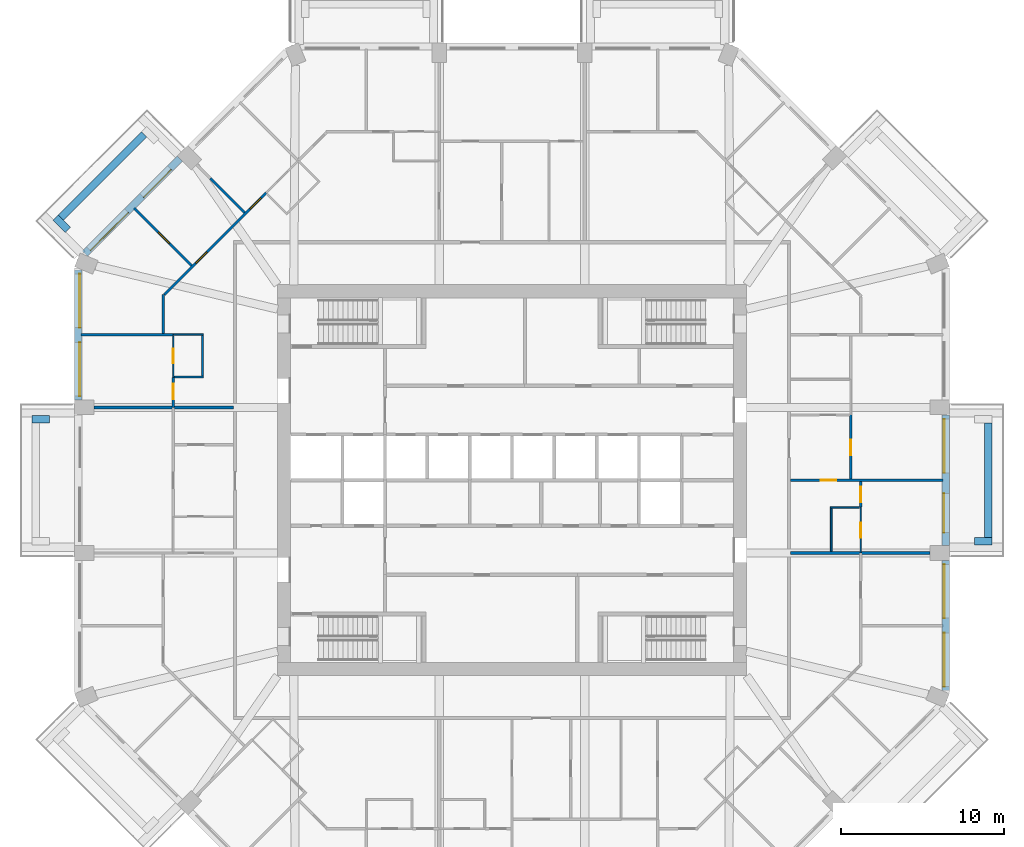
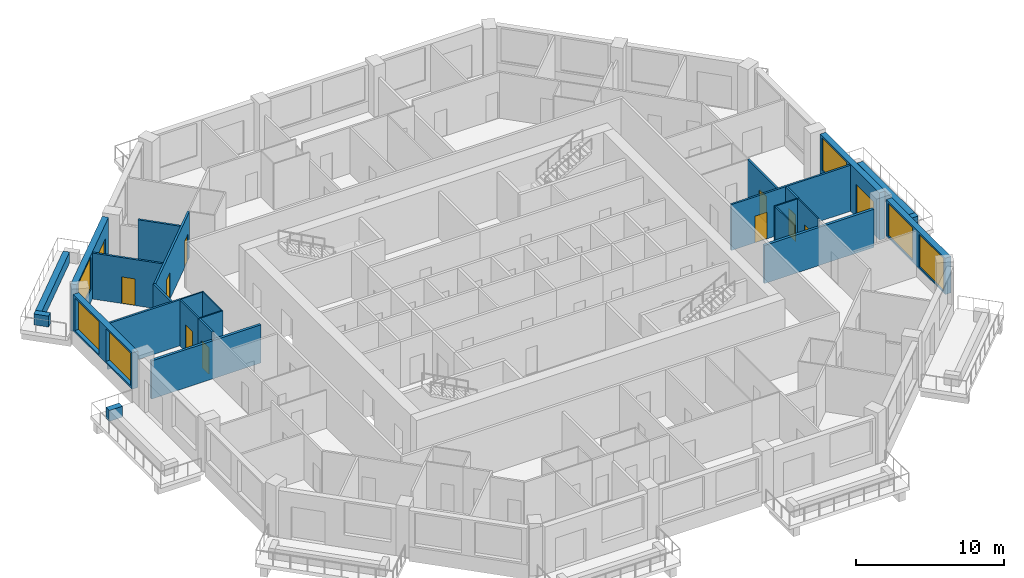
# One storey, part 7 of 13: 27 walls, 11 doors, 6 windows, 17 openings.
"""IFC4 building model written with IfcOpenShell, lengths in metres."""

from ifc_helpers import new_model, si_unit, direction, frame, frame_2d, origin, place, context, subcontext, project, spatial, rectangle, extrude, material, layer, layer_set, type_object, element, fill, save


model = new_model("IFC4")

# Units and contexts
model_context = context("Model", 3, precision=1e-05, world=origin(), true_north=direction((0.0, 1.0)))
body_context = subcontext(model_context, "Body", "Model", "MODEL_VIEW")
ifc_project = project(units=[si_unit("LENGTHUNIT", "METRE"), si_unit("AREAUNIT", "SQUARE_METRE"), si_unit("VOLUMEUNIT", "CUBIC_METRE"), si_unit("PLANEANGLEUNIT", "RADIAN"), si_unit("MASSUNIT", "GRAM", prefix="KILO")], contexts=[model_context])

# Site, building, storey
site_placement = place(None, origin())
site = spatial("IfcSite", under=ifc_project, at=site_placement, CompositionType="ELEMENT")
building_placement = place(site_placement, origin())
building = spatial("IfcBuilding", under=site, at=building_placement, Name="Msitu Wima Residences", CompositionType="ELEMENT")
storey_placement = place(building_placement, frame((0.0, 0.0, 152.699951171875)))
storey = spatial("IfcBuildingStorey", under=building, at=storey_placement, Name="L35", CompositionType="ELEMENT", Elevation=152.699951171875)

# Walls
ifc_material_1 = material(Name="Facing brick")
ifc_layer_1 = layer(ifc_material_1, 0.06494140625, Name="Facing brick")
ifc_material_2 = material(Name="Concrete C40/50", Category="concrete")
ifc_layer_2 = layer(ifc_material_2, 0.156005859375, Name="Concrete C40/50")
ifc_material_3 = material(Name="Waterproofing membrane")
ifc_layer_3 = layer(ifc_material_3, 0.00390625, Name="Waterproofing membrane")
ifc_material_4 = material(Name="Planting soil and planting")
ifc_layer_4 = layer(ifc_material_4, 0.22509765625, Name="Planting soil and planting")
ifc_layer_set_1 = layer_set([ifc_layer_1, ifc_layer_2, ifc_layer_3, ifc_layer_4], Name="Concrete C40/50")
wall_type_1 = type_object("IfcWallType", Name="Balcony planter PLANTER PL450", PredefinedType="USERDEFINED", material=ifc_layer_set_1)
wall_1_placement = place(storey_placement, frame((29.22509765625, -3.5185546875, 0.0), z_axis=(0.0, 0.0, 1.0), x_axis=(0.0, 1.0, 0.0)))
element("IfcWall", 1, at=wall_1_placement, inside=storey, type_object=wall_type_1, Name="Balcony planter E1 L35", ObjectType="PLANTER", PredefinedType="USERDEFINED", context=body_context, shape_type="SweptSolid", body=[
    extrude(rectangle(XDim=7.037109375, YDim=0.449951171875, at=frame_2d((3.5185546875, 0.0))), origin(), (0.0, 0.0, 1.0), 0.900146484375),
])
wall_2_placement = place(storey_placement, frame((28.39990234375, -3.74365234375, 0.0), z_axis=(0.0, 0.0, 1.0), x_axis=(1.0, 0.0, 0.0)))
element("IfcWall", 2, at=wall_2_placement, inside=storey, type_object=wall_type_1, Name="Balcony planter E1 L35", ObjectType="PLANTER", PredefinedType="USERDEFINED", context=body_context, shape_type="SweptSolid", body=[
    extrude(rectangle(XDim=1.050048828125, YDim=0.449951171875, at=frame_2d((0.52490234375, 0.0))), origin(), (0.0, 0.0, 1.0), 0.900146484375),
])
wall_3_placement = place(storey_placement, frame((-22.572265625, 21.228759765625, 0.0), z_axis=(0.0, 0.0, 1.0), x_axis=(-0.707106781187, -0.707106781187, 0.0)))
element("IfcWall", 3, at=wall_3_placement, inside=storey, type_object=wall_type_1, Name="Balcony planter NW1 L35", ObjectType="PLANTER", PredefinedType="USERDEFINED", context=body_context, shape_type="SweptSolid", body=[
    extrude(rectangle(XDim=7.23828125, YDim=0.449951171875, at=frame_2d((3.619140625, 0.0))), origin(), (0.0, 0.0, 1.0), 0.900146484375),
])
for number, where, z_axis, x_axis, name in (
    (4, (-27.26611328125, 15.3681640625, 0.0), (0.0, 0.0, 1.0), (-0.707223014731, 0.706990528533, 0.0), "Balcony planter NW1 L35"),
    (5, (-28.39990234375, 3.74365234375, 0.0), (0.0, 0.0, 1.0), (-1.0, 0.0, 0.0), "Balcony planter W1 L35"),
):
    element("IfcWall", number, at=place(storey_placement, frame(where, z_axis=z_axis, x_axis=x_axis)), inside=storey, type_object=wall_type_1, Name=name, ObjectType="PLANTER", PredefinedType="USERDEFINED", context=body_context, shape_type="SweptSolid", body=[
        extrude(rectangle(XDim=1.050048828125, YDim=0.449951171875, at=frame_2d((0.52490234375, 0.0))), origin(), (0.0, 0.0, 1.0), 0.900146484375),
    ])

# Wall, openings, windows
ifc_material_5 = material(Name="Brick (red buff mix)", Category="masonry")
ifc_layer_5 = layer(ifc_material_5, 0.449951171875)
ifc_layer_set_2 = layer_set([ifc_layer_5], Name="Brick (red buff mix)")
wall_type_2 = type_object("IfcWallType", Name="Brick infill wall BW450", PredefinedType="SOLIDWALL", material=ifc_layer_set_2)
wall_4_placement = place(storey_placement, frame((26.625, -12.918701171875, 0.900146484375), z_axis=(0.0, 0.0, 1.0), x_axis=(0.0, 1.0, 0.0)))
wall_4 = element("IfcWall", 6, at=wall_4_placement, inside=storey, type_object=wall_type_2, Name="Brick infill wall L35 E0", PredefinedType="SOLIDWALL", context=body_context, shape_type="SweptSolid", body=[
    extrude(rectangle(XDim=8.0, YDim=0.449951171875, at=frame_2d((4.0, 0.0))), origin(), (0.0, 0.0, 1.0), 3.0),
])
opening_1_placement = place(wall_4_placement, frame((0.25, 0.0, 0.14990234375)))
opening_1 = element("IfcOpeningElement", 7, at=opening_1_placement, cuts=wall_4, Name="Opening W34-35.001", PredefinedType="OPENING", context=body_context, shape_type="SweptSolid", body=[
    extrude(rectangle(XDim=3.300048828125, YDim=2.699951171875, at=frame_2d((1.64990234375, 1.35009765625))), frame((0.0, 0.23486328125, 0.0), z_axis=(0.0, -1.0, 0.0), x_axis=(1.0, 0.0, 0.0)), (0.0, 0.0, 1.0), 0.469970703125),
])
opening_2_placement = place(wall_4_placement, frame((4.4501953125, 0.0, 0.14990234375)))
opening_2 = element("IfcOpeningElement", 8, at=opening_2_placement, cuts=wall_4, Name="Opening W34-35.002", PredefinedType="OPENING", context=body_context, shape_type="SweptSolid", body=[
    extrude(rectangle(XDim=3.300048828125, YDim=2.699951171875, at=frame_2d((1.64990234375, 1.35009765625))), frame((0.0, 0.23486328125, 0.0), z_axis=(0.0, -1.0, 0.0), x_axis=(1.0, 0.0, 0.0)), (0.0, 0.0, 1.0), 0.469970703125),
])
ifc_material_6 = material(Name="Anodised aluminium, bronze finish, clear low-emissivity double glazing", Category="aluminium")
window_type = type_object("IfcWindowType", Name="Window W3300x2700", PartitioningType="DOUBLE_PANEL_VERTICAL", PredefinedType="WINDOW", material=ifc_material_6)
window_1_placement = place(opening_1_placement, origin())
window_1 = element("IfcWindow", 9, at=window_1_placement, inside=storey, type_object=window_type, Name="Window L35 E0.1", OverallHeight=2.699951171875, OverallWidth=3.300048828125, PartitioningType="SINGLE_PANEL", PredefinedType="WINDOW", context=body_context, shape_type="SweptSolid", body=[
    extrude(rectangle(XDim=3.300048828125, YDim=2.699951171875, at=frame_2d((1.64990234375, 1.35009765625))), frame((0.0, 0.135009765625, 0.0), z_axis=(0.0, -1.0, 0.0), x_axis=(1.0, 0.0, 0.0)), (0.0, 0.0, 1.0), 0.06005859375),
])
fill(opening_1, window_1)
window_2_placement = place(opening_2_placement, origin())
window_2 = element("IfcWindow", 10, at=window_2_placement, inside=storey, type_object=window_type, Name="Window L35 E0.2", OverallHeight=2.699951171875, OverallWidth=3.300048828125, PartitioningType="SINGLE_PANEL", PredefinedType="WINDOW", context=body_context, shape_type="SweptSolid", body=[
    extrude(rectangle(XDim=3.300048828125, YDim=2.699951171875, at=frame_2d((1.64990234375, 1.35009765625))), frame((0.0, 0.135009765625, 0.0), z_axis=(0.0, -1.0, 0.0), x_axis=(1.0, 0.0, 0.0)), (0.0, 0.0, 1.0), 0.06005859375),
])
fill(opening_2, window_2)

# Wall, openings, door, window
wall_5_placement = place(storey_placement, frame((26.625, -4.0185546875, 0.0), z_axis=(0.0, 0.0, 1.0), x_axis=(0.0, 1.0, 0.0)))
wall_5 = element("IfcWall", 11, at=wall_5_placement, inside=storey, type_object=wall_type_2, Name="Brick infill wall L35 E1", PredefinedType="SOLIDWALL", context=body_context, shape_type="SweptSolid", body=[
    extrude(rectangle(XDim=8.037109375, YDim=0.449951171875, at=frame_2d((4.0185546875, 0.0))), origin(), (0.0, 0.0, 1.0), 3.900146484375),
])
opening_3_placement = place(wall_5_placement, frame((0.809326171875, 0.0, 0.0)))
opening_3 = element("IfcOpeningElement", 12, at=opening_3_placement, cuts=wall_5, Name="Opening D34-35.001", PredefinedType="OPENING", context=body_context, shape_type="SweptSolid", body=[
    extrude(rectangle(XDim=2.39990234375, YDim=2.699951171875, at=frame_2d((1.199951171875, 1.35009765625))), frame((0.0, 0.23486328125, 0.0), z_axis=(0.0, -1.0, 0.0), x_axis=(1.0, 0.0, 0.0)), (0.0, 0.0, 1.0), 0.469970703125),
])
opening_4_placement = place(wall_5_placement, frame((4.46875, 0.0, 1.050048828125)))
opening_4 = element("IfcOpeningElement", 13, at=opening_4_placement, cuts=wall_5, Name="Opening W34-35.003", PredefinedType="OPENING", context=body_context, shape_type="SweptSolid", body=[
    extrude(rectangle(XDim=3.300048828125, YDim=2.699951171875, at=frame_2d((1.64990234375, 1.35009765625))), frame((0.0, 0.23486328125, 0.0), z_axis=(0.0, -1.0, 0.0), x_axis=(1.0, 0.0, 0.0)), (0.0, 0.0, 1.0), 0.469970703125),
])
door_type_1 = type_object("IfcDoorType", Name="Balcony door D2400x2700", OperationType="SLIDING_TO_LEFT", PredefinedType="DOOR", material=ifc_material_6)
door_1_placement = place(opening_3_placement, origin())
door_1 = element("IfcDoor", 14, at=door_1_placement, inside=storey, type_object=door_type_1, Name="Balcony door L35 E1", OperationType="SINGLE_SWING_LEFT", OverallHeight=2.699951171875, OverallWidth=2.39990234375, PredefinedType="DOOR", context=body_context, shape_type="SweptSolid", body=[
    extrude(rectangle(XDim=2.39990234375, YDim=2.699951171875, at=frame_2d((1.199951171875, 1.35009765625))), frame((0.0, 0.1298828125, 0.0), z_axis=(0.0, -1.0, 0.0), x_axis=(1.0, 0.0, 0.0)), (0.0, 0.0, 1.0), 0.050048828125),
])
fill(opening_3, door_1)
window_3_placement = place(opening_4_placement, origin())
window_3 = element("IfcWindow", 15, at=window_3_placement, inside=storey, type_object=window_type, Name="Window L35 E1.2", OverallHeight=2.699951171875, OverallWidth=3.300048828125, PartitioningType="SINGLE_PANEL", PredefinedType="WINDOW", context=body_context, shape_type="SweptSolid", body=[
    extrude(rectangle(XDim=3.300048828125, YDim=2.699951171875, at=frame_2d((1.64990234375, 1.35009765625))), frame((0.0, 0.135009765625, 0.0), z_axis=(0.0, -1.0, 0.0), x_axis=(1.0, 0.0, 0.0)), (0.0, 0.0, 1.0), 0.06005859375),
])
fill(opening_4, window_3)

wall_6_placement = place(storey_placement, frame((-20.380126953125, 19.743896484375, 0.0), z_axis=(0.0, 0.0, 1.0), x_axis=(-0.707106781187, -0.707106781187, 0.0)))
wall_6 = element("IfcWall", 16, at=wall_6_placement, inside=storey, type_object=wall_type_2, Name="Brick infill wall L35 NW1", PredefinedType="SOLIDWALL", context=body_context, shape_type="SweptSolid", body=[
    extrude(rectangle(XDim=8.251220703125, YDim=0.449951171875, at=frame_2d((4.12548828125, 0.0))), origin(), (0.0, 0.0, 1.0), 3.900146484375),
])
opening_5_placement = place(wall_6_placement, frame((0.86279296875, 0.0, 0.0)))
opening_5 = element("IfcOpeningElement", 17, at=opening_5_placement, cuts=wall_6, Name="Opening D34-35.005", PredefinedType="OPENING", context=body_context, shape_type="SweptSolid", body=[
    extrude(rectangle(XDim=2.39990234375, YDim=2.699951171875, at=frame_2d((1.199951171875, 1.35009765625))), frame((0.0, 0.23486328125, 0.0), z_axis=(0.0, -1.0, 0.0), x_axis=(1.0, 0.0, 0.0)), (0.0, 0.0, 1.0), 0.469970703125),
])
opening_6_placement = place(wall_6_placement, frame((4.57568359375, 0.0, 1.050048828125)))
opening_6 = element("IfcOpeningElement", 18, at=opening_6_placement, cuts=wall_6, Name="Opening W34-35.015", PredefinedType="OPENING", context=body_context, shape_type="SweptSolid", body=[
    extrude(rectangle(XDim=3.300048828125, YDim=2.699951171875, at=frame_2d((1.64990234375, 1.35009765625))), frame((0.0, 0.23486328125, 0.0), z_axis=(0.0, -1.0, 0.0), x_axis=(1.0, 0.0, 0.0)), (0.0, 0.0, 1.0), 0.469970703125),
])
door_2_placement = place(opening_5_placement, origin())
door_2 = element("IfcDoor", 19, at=door_2_placement, inside=storey, type_object=door_type_1, Name="Balcony door L35 NW1", OperationType="SINGLE_SWING_LEFT", OverallHeight=2.699951171875, OverallWidth=2.39990234375, PredefinedType="DOOR", context=body_context, shape_type="SweptSolid", body=[
    extrude(rectangle(XDim=2.39990234375, YDim=2.699951171875, at=frame_2d((1.199951171875, 1.35009765625))), frame((0.0, 0.1298828125, 0.0), z_axis=(0.0, -1.0, 0.0), x_axis=(1.0, 0.0, 0.0)), (0.0, 0.0, 1.0), 0.050048828125),
])
fill(opening_5, door_2)
window_4_placement = place(opening_6_placement, origin())
window_4 = element("IfcWindow", 20, at=window_4_placement, inside=storey, type_object=window_type, Name="Window L35 NW1.2", OverallHeight=2.699951171875, OverallWidth=3.300048828125, PartitioningType="SINGLE_PANEL", PredefinedType="WINDOW", context=body_context, shape_type="SweptSolid", body=[
    extrude(rectangle(XDim=3.300048828125, YDim=2.699951171875, at=frame_2d((1.64990234375, 1.35009765625))), frame((0.0, 0.135009765625, 0.0), z_axis=(0.0, -1.0, 0.0), x_axis=(1.0, 0.0, 0.0)), (0.0, 0.0, 1.0), 0.06005859375),
])
fill(opening_6, window_4)

# Wall, openings, windows
wall_7_placement = place(storey_placement, frame((-26.625, 12.918701171875, 0.900146484375), z_axis=(0.0, 0.0, 1.0), x_axis=(0.0, -1.0, 0.0)))
wall_7 = element("IfcWall", 21, at=wall_7_placement, inside=storey, type_object=wall_type_2, Name="Brick infill wall L35 W0", PredefinedType="SOLIDWALL", context=body_context, shape_type="SweptSolid", body=[
    extrude(rectangle(XDim=8.0, YDim=0.449951171875, at=frame_2d((4.0, 0.0))), origin(), (0.0, 0.0, 1.0), 3.0),
])
opening_7_placement = place(wall_7_placement, frame((0.25, 0.0, 0.14990234375)))
opening_7 = element("IfcOpeningElement", 22, at=opening_7_placement, cuts=wall_7, Name="Opening W34-35.026", PredefinedType="OPENING", context=body_context, shape_type="SweptSolid", body=[
    extrude(rectangle(XDim=3.300048828125, YDim=2.699951171875, at=frame_2d((1.64990234375, 1.35009765625))), frame((0.0, 0.23486328125, 0.0), z_axis=(0.0, -1.0, 0.0), x_axis=(1.0, 0.0, 0.0)), (0.0, 0.0, 1.0), 0.469970703125),
])
opening_8_placement = place(wall_7_placement, frame((4.4501953125, 0.0, 0.14990234375)))
opening_8 = element("IfcOpeningElement", 23, at=opening_8_placement, cuts=wall_7, Name="Opening W34-35.027", PredefinedType="OPENING", context=body_context, shape_type="SweptSolid", body=[
    extrude(rectangle(XDim=3.300048828125, YDim=2.699951171875, at=frame_2d((1.64990234375, 1.35009765625))), frame((0.0, 0.23486328125, 0.0), z_axis=(0.0, -1.0, 0.0), x_axis=(1.0, 0.0, 0.0)), (0.0, 0.0, 1.0), 0.469970703125),
])
window_5_placement = place(opening_7_placement, origin())
window_5 = element("IfcWindow", 24, at=window_5_placement, inside=storey, type_object=window_type, Name="Window L35 W0.1", OverallHeight=2.699951171875, OverallWidth=3.300048828125, PartitioningType="SINGLE_PANEL", PredefinedType="WINDOW", context=body_context, shape_type="SweptSolid", body=[
    extrude(rectangle(XDim=3.300048828125, YDim=2.699951171875, at=frame_2d((1.64990234375, 1.35009765625))), frame((0.0, 0.135009765625, 0.0), z_axis=(0.0, -1.0, 0.0), x_axis=(1.0, 0.0, 0.0)), (0.0, 0.0, 1.0), 0.06005859375),
])
fill(opening_7, window_5)
window_6_placement = place(opening_8_placement, origin())
window_6 = element("IfcWindow", 25, at=window_6_placement, inside=storey, type_object=window_type, Name="Window L35 W0.2", OverallHeight=2.699951171875, OverallWidth=3.300048828125, PartitioningType="SINGLE_PANEL", PredefinedType="WINDOW", context=body_context, shape_type="SweptSolid", body=[
    extrude(rectangle(XDim=3.300048828125, YDim=2.699951171875, at=frame_2d((1.64990234375, 1.35009765625))), frame((0.0, 0.135009765625, 0.0), z_axis=(0.0, -1.0, 0.0), x_axis=(1.0, 0.0, 0.0)), (0.0, 0.0, 1.0), 0.06005859375),
])
fill(opening_8, window_6)

# Wall
ifc_material_7 = material(Name="Plaster")
ifc_layer_6 = layer(ifc_material_7, 0.011962890625, Name="Plaster")
ifc_material_8 = material(Name="Concrete blockwork", Category="masonry")
ifc_layer_7 = layer(ifc_material_8, 0.1259765625, Name="Concrete blockwork")
ifc_layer_8 = layer(ifc_material_7, 0.011962890625, Name="Plaster")
ifc_layer_set_3 = layer_set([ifc_layer_6, ifc_layer_7, ifc_layer_8], Name="Concrete blockwork")
wall_type_3 = type_object("IfcWallType", Name="Partition PW150", PredefinedType="PARTITIONING", material=ifc_layer_set_3)
wall_8_placement = place(storey_placement, frame((-26.455078125, 8.937255859375, 0.0), z_axis=(0.0, 0.0, 1.0), x_axis=(1.0, 0.0, 0.0)))
element("IfcWall", 26, at=wall_8_placement, inside=storey, type_object=wall_type_3, Name="Partition", PredefinedType="PARTITIONING", context=body_context, shape_type="SweptSolid", body=[
    extrude(rectangle(XDim=5.675048828125, YDim=0.14990234375, at=frame_2d((2.83740234375, 0.0))), origin(), (0.0, 0.0, 1.0), 3.798095703125),
])

# Wall, opening, door
wall_9_placement = place(storey_placement, frame((-23.1904296875, 16.693359375, 0.0), z_axis=(0.0, 0.0, 1.0), x_axis=(0.707106781187, -0.707106781187, 0.0)))
wall_9 = element("IfcWall", 27, at=wall_9_placement, inside=storey, type_object=wall_type_3, Name="Partition", PredefinedType="PARTITIONING", context=body_context, shape_type="SweptSolid", body=[
    extrude(rectangle(XDim=4.980224609375, YDim=0.14990234375, at=frame_2d((2.490234375, 0.0))), origin(), (0.0, 0.0, 1.0), 3.798095703125),
])
opening_9_placement = place(wall_9_placement, frame((2.10009765625, 0.0, 0.0)))
opening_9 = element("IfcOpeningElement", 28, at=opening_9_placement, cuts=wall_9, Name="Opening D34-35.055", PredefinedType="OPENING", context=body_context, shape_type="SweptSolid", body=[
    extrude(rectangle(XDim=0.949951171875, YDim=2.199951171875, at=frame_2d((0.47509765625, 1.10009765625))), frame((0.0, 0.0849609375, 0.0), z_axis=(0.0, -1.0, 0.0), x_axis=(1.0, 0.0, 0.0)), (0.0, 0.0, 1.0), 0.169921875),
])
ifc_material_9 = material(Name="Timber flush door", Category="wood")
door_type_2 = type_object("IfcDoorType", Name="Room door D12 950x2200", OperationType="SINGLE_SWING_LEFT", PredefinedType="DOOR", material=ifc_material_9)
door_3_placement = place(opening_9_placement, origin())
door_3 = element("IfcDoor", 29, at=door_3_placement, inside=storey, type_object=door_type_2, Name="Room door", OperationType="SINGLE_SWING_LEFT", OverallHeight=2.199951171875, OverallWidth=0.949951171875, PredefinedType="DOOR", context=body_context, shape_type="SweptSolid", body=[
    extrude(rectangle(XDim=0.949951171875, YDim=2.199951171875, at=frame_2d((0.47509765625, 1.10009765625))), frame((0.0, 0.02490234375, 0.0), z_axis=(0.0, -1.0, 0.0), x_axis=(1.0, 0.0, 0.0)), (0.0, 0.0, 1.0), 0.050048828125),
])
fill(opening_9, door_3)

# Wall
wall_10_placement = place(storey_placement, frame((-21.39990234375, 9.01220703125, 0.0), z_axis=(0.0, 0.0, 1.0), x_axis=(0.0, 1.0, 0.0)))
element("IfcWall", 30, at=wall_10_placement, inside=storey, type_object=wall_type_3, Name="Partition", PredefinedType="PARTITIONING", context=body_context, shape_type="SweptSolid", body=[
    extrude(rectangle(XDim=2.397705078125, YDim=0.14990234375, at=frame_2d((1.19873046875, 0.0))), origin(), (0.0, 0.0, 1.0), 3.798095703125),
])

# Wall, openings, doors
wall_11_placement = place(storey_placement, frame((-21.346923828125, 11.387939453125, 0.0), z_axis=(0.0, 0.0, 1.0), x_axis=(0.707106781187, 0.707106781187, 0.0)))
wall_11 = element("IfcWall", 31, at=wall_11_placement, inside=storey, type_object=wall_type_3, Name="Partition", PredefinedType="PARTITIONING", context=body_context, shape_type="SweptSolid", body=[
    extrude(rectangle(XDim=8.836181640625, YDim=0.14990234375, at=frame_2d((4.41796875, 0.0))), origin(), (0.0, 0.0, 1.0), 3.798095703125),
])
opening_10_placement = place(wall_11_placement, frame((2.75, 0.0, 0.0)))
opening_10 = element("IfcOpeningElement", 32, at=opening_10_placement, cuts=wall_11, Name="Opening D34-35.045", PredefinedType="OPENING", context=body_context, shape_type="SweptSolid", body=[
    extrude(rectangle(XDim=0.949951171875, YDim=2.199951171875, at=frame_2d((0.47509765625, 1.10009765625))), frame((0.0, 0.0849609375, 0.0), z_axis=(0.0, -1.0, 0.0), x_axis=(1.0, 0.0, 0.0)), (0.0, 0.0, 1.0), 0.169921875),
])
opening_11_placement = place(wall_11_placement, frame((7.449951171875, 0.0, 0.0)))
opening_11 = element("IfcOpeningElement", 33, at=opening_11_placement, cuts=wall_11, Name="Opening D34-35.047", PredefinedType="OPENING", context=body_context, shape_type="SweptSolid", body=[
    extrude(rectangle(XDim=0.949951171875, YDim=2.199951171875, at=frame_2d((0.47509765625, 1.10009765625))), frame((0.0, 0.0849609375, 0.0), z_axis=(0.0, -1.0, 0.0), x_axis=(1.0, 0.0, 0.0)), (0.0, 0.0, 1.0), 0.169921875),
])
door_4_placement = place(opening_10_placement, origin())
door_4 = element("IfcDoor", 34, at=door_4_placement, inside=storey, type_object=door_type_2, Name="Room door", OperationType="SINGLE_SWING_LEFT", OverallHeight=2.199951171875, OverallWidth=0.949951171875, PredefinedType="DOOR", context=body_context, shape_type="SweptSolid", body=[
    extrude(rectangle(XDim=0.949951171875, YDim=2.199951171875, at=frame_2d((0.47509765625, 1.10009765625))), frame((0.0, 0.02490234375, 0.0), z_axis=(0.0, -1.0, 0.0), x_axis=(1.0, 0.0, 0.0)), (0.0, 0.0, 1.0), 0.050048828125),
])
fill(opening_10, door_4)
door_5_placement = place(opening_11_placement, origin())
door_5 = element("IfcDoor", 35, at=door_5_placement, inside=storey, type_object=door_type_2, Name="Room door", OperationType="SINGLE_SWING_LEFT", OverallHeight=2.199951171875, OverallWidth=0.949951171875, PredefinedType="DOOR", context=body_context, shape_type="SweptSolid", body=[
    extrude(rectangle(XDim=0.949951171875, YDim=2.199951171875, at=frame_2d((0.47509765625, 1.10009765625))), frame((0.0, 0.02490234375, 0.0), z_axis=(0.0, -1.0, 0.0), x_axis=(1.0, 0.0, 0.0)), (0.0, 0.0, 1.0), 0.050048828125),
])
fill(opening_11, door_5)

# Wall, opening, door
wall_12_placement = place(storey_placement, frame((-20.800048828125, 4.46875, 0.0), z_axis=(0.0, 0.0, 1.0), x_axis=(0.0, 1.0, 0.0)))
wall_12 = element("IfcWall", 36, at=wall_12_placement, inside=storey, type_object=wall_type_3, Name="Partition", PredefinedType="PARTITIONING", context=body_context, shape_type="SweptSolid", body=[
    extrude(rectangle(XDim=1.848388671875, YDim=0.14990234375, at=frame_2d((0.92431640625, 0.0))), origin(), (0.0, 0.0, 1.0), 3.798095703125),
])
opening_12_placement = place(wall_12_placement, frame((0.5, 0.0, 0.0)))
opening_12 = element("IfcOpeningElement", 37, at=opening_12_placement, cuts=wall_12, Name="Opening D34-35.053", PredefinedType="OPENING", context=body_context, shape_type="SweptSolid", body=[
    extrude(rectangle(XDim=0.949951171875, YDim=2.199951171875, at=frame_2d((0.47509765625, 1.10009765625))), frame((0.0, 0.0849609375, 0.0), z_axis=(0.0, -1.0, 0.0), x_axis=(1.0, 0.0, 0.0)), (0.0, 0.0, 1.0), 0.169921875),
])
door_6_placement = place(opening_12_placement, origin())
door_6 = element("IfcDoor", 38, at=door_6_placement, inside=storey, type_object=door_type_2, Name="Room door", OperationType="SINGLE_SWING_LEFT", OverallHeight=2.199951171875, OverallWidth=0.949951171875, PredefinedType="DOOR", context=body_context, shape_type="SweptSolid", body=[
    extrude(rectangle(XDim=0.949951171875, YDim=2.199951171875, at=frame_2d((0.47509765625, 1.10009765625))), frame((0.0, 0.02490234375, 0.0), z_axis=(0.0, -1.0, 0.0), x_axis=(1.0, 0.0, 0.0)), (0.0, 0.0, 1.0), 0.050048828125),
])
fill(opening_12, door_6)

# Wall
wall_13_placement = place(storey_placement, frame((-18.517578125, 18.517578125, 0.0), z_axis=(0.0, 0.0, 1.0), x_axis=(0.707106781187, -0.707106781187, 0.0)))
element("IfcWall", 39, at=wall_13_placement, inside=storey, type_object=wall_type_3, Name="Partition", PredefinedType="PARTITIONING", context=body_context, shape_type="SweptSolid", body=[
    extrude(rectangle(XDim=2.9658203125, YDim=0.14990234375, at=frame_2d((1.48291015625, 0.0))), origin(), (0.0, 0.0, 1.0), 3.798095703125),
])

# Wall, opening, door
wall_14_placement = place(storey_placement, frame((17.10009765625, 0.0, 0.0), z_axis=(0.0, 0.0, 1.0), x_axis=(1.0, 0.0, 0.0)))
wall_14 = element("IfcWall", 40, at=wall_14_placement, inside=storey, type_object=wall_type_3, Name="Partition", PredefinedType="PARTITIONING", context=body_context, shape_type="SweptSolid", body=[
    extrude(rectangle(XDim=9.35498046875, YDim=0.14990234375, at=frame_2d((4.677490234375, 0.0))), origin(), (0.0, 0.0, 1.0), 3.798095703125),
])
opening_13_placement = place(wall_14_placement, frame((1.85009765625, 0.0, 0.0)))
opening_13 = element("IfcOpeningElement", 41, at=opening_13_placement, cuts=wall_14, Name="Opening D34-35.050", PredefinedType="OPENING", context=body_context, shape_type="SweptSolid", body=[
    extrude(rectangle(XDim=0.949951171875, YDim=2.199951171875, at=frame_2d((0.47509765625, 1.10009765625))), frame((0.0, 0.0849609375, 0.0), z_axis=(0.0, -1.0, 0.0), x_axis=(1.0, 0.0, 0.0)), (0.0, 0.0, 1.0), 0.169921875),
])
door_7_placement = place(opening_13_placement, origin())
door_7 = element("IfcDoor", 42, at=door_7_placement, inside=storey, type_object=door_type_2, Name="Room door", OperationType="SINGLE_SWING_RIGHT", OverallHeight=2.199951171875, OverallWidth=0.949951171875, PredefinedType="DOOR", context=body_context, shape_type="SweptSolid", body=[
    extrude(rectangle(XDim=0.949951171875, YDim=2.199951171875, at=frame_2d((0.47509765625, 1.10009765625))), frame((0.0, 0.02490234375, 0.0), z_axis=(0.0, -1.0, 0.0), x_axis=(1.0, 0.0, 0.0)), (0.0, 0.0, 1.0), 0.050048828125),
])
fill(opening_13, door_7)

wall_15_placement = place(storey_placement, frame((20.800048828125, 0.074951171875, 0.0), z_axis=(0.0, 0.0, 1.0), x_axis=(0.0, 1.0, 0.0)))
wall_15 = element("IfcWall", 43, at=wall_15_placement, inside=storey, type_object=wall_type_3, Name="Partition", PredefinedType="PARTITIONING", context=body_context, shape_type="SweptSolid", body=[
    extrude(rectangle(XDim=3.945068359375, YDim=0.14990234375, at=frame_2d((1.97265625, 0.0))), origin(), (0.0, 0.0, 1.0), 3.798095703125),
])
opening_14_placement = place(wall_15_placement, frame((1.449951171875, 0.0, 0.0)))
opening_14 = element("IfcOpeningElement", 44, at=opening_14_placement, cuts=wall_15, Name="Opening D34-35.039", PredefinedType="OPENING", context=body_context, shape_type="SweptSolid", body=[
    extrude(rectangle(XDim=0.949951171875, YDim=2.199951171875, at=frame_2d((0.47509765625, 1.10009765625))), frame((0.0, 0.0849609375, 0.0), z_axis=(0.0, -1.0, 0.0), x_axis=(1.0, 0.0, 0.0)), (0.0, 0.0, 1.0), 0.169921875),
])
door_8_placement = place(opening_14_placement, origin())
door_8 = element("IfcDoor", 45, at=door_8_placement, inside=storey, type_object=door_type_2, Name="Room door", OperationType="SINGLE_SWING_RIGHT", OverallHeight=2.199951171875, OverallWidth=0.949951171875, PredefinedType="DOOR", context=body_context, shape_type="SweptSolid", body=[
    extrude(rectangle(XDim=0.949951171875, YDim=2.199951171875, at=frame_2d((0.47509765625, 1.10009765625))), frame((0.0, 0.02490234375, 0.0), z_axis=(0.0, -1.0, 0.0), x_axis=(1.0, 0.0, 0.0)), (0.0, 0.0, 1.0), 0.050048828125),
])
fill(opening_14, door_8)

wall_16_placement = place(storey_placement, frame((21.39990234375, -1.648681640625, 0.0), z_axis=(0.0, 0.0, 1.0), x_axis=(0.0, 1.0, 0.0)))
wall_16 = element("IfcWall", 46, at=wall_16_placement, inside=storey, type_object=wall_type_3, Name="Partition", PredefinedType="PARTITIONING", context=body_context, shape_type="SweptSolid", body=[
    extrude(rectangle(XDim=1.57373046875, YDim=0.14990234375, at=frame_2d((0.786865234375, 0.0))), origin(), (0.0, 0.0, 1.0), 3.798095703125),
])
opening_15_placement = place(wall_16_placement, frame((0.300048828125, 0.0, 0.0)))
opening_15 = element("IfcOpeningElement", 47, at=opening_15_placement, cuts=wall_16, Name="Opening D34-35.072", PredefinedType="OPENING", context=body_context, shape_type="SweptSolid", body=[
    extrude(rectangle(XDim=0.949951171875, YDim=2.199951171875, at=frame_2d((0.47509765625, 1.10009765625))), frame((0.0, 0.0849609375, 0.0), z_axis=(0.0, -1.0, 0.0), x_axis=(1.0, 0.0, 0.0)), (0.0, 0.0, 1.0), 0.169921875),
])
door_9_placement = place(opening_15_placement, origin())
door_9 = element("IfcDoor", 48, at=door_9_placement, inside=storey, type_object=door_type_2, Name="Room door", OperationType="SINGLE_SWING_LEFT", OverallHeight=2.199951171875, OverallWidth=0.949951171875, PredefinedType="DOOR", context=body_context, shape_type="SweptSolid", body=[
    extrude(rectangle(XDim=0.949951171875, YDim=2.199951171875, at=frame_2d((0.47509765625, 1.10009765625))), frame((0.0, 0.02490234375, 0.0), z_axis=(0.0, -1.0, 0.0), x_axis=(1.0, 0.0, 0.0)), (0.0, 0.0, 1.0), 0.050048828125),
])
fill(opening_15, door_9)

# Walls
ifc_layer_9 = layer(ifc_material_7, 0.011962890625, Name="Plaster")
ifc_material_10 = material(Name="Dense concrete blockwork", Category="masonry")
ifc_layer_10 = layer(ifc_material_10, 0.176025390625, Name="Dense concrete blockwork")
ifc_layer_11 = layer(ifc_material_7, 0.011962890625, Name="Plaster")
ifc_layer_set_4 = layer_set([ifc_layer_9, ifc_layer_10, ifc_layer_11], Name="Dense concrete blockwork")
wall_type_4 = type_object("IfcWallType", Name="Party wall PW200", PredefinedType="PARTITIONING", material=ifc_layer_set_4)
for number, where, z_axis, x_axis, name in (
    (49, (-25.64990234375, 4.46875, 0.0), (0.0, 0.0, 1.0), (1.0, 0.0, 0.0), "Party wall"),
    (50, (17.10009765625, -4.46875, 0.0), (0.0, 0.0, 1.0), (1.0, 0.0, 0.0), "Party wall"),
):
    element("IfcWall", number, at=place(storey_placement, frame(where, z_axis=z_axis, x_axis=x_axis)), inside=storey, type_object=wall_type_4, Name=name, PredefinedType="PARTITIONING", context=body_context, shape_type="SweptSolid", body=[
        extrude(rectangle(XDim=8.5498046875, YDim=0.199951171875, at=frame_2d((4.27490234375, 0.0))), origin(), (0.0, 0.0, 1.0), 3.150146484375),
    ])
ifc_material_11 = material(Name="Ceramic tiles")
ifc_layer_12 = layer(ifc_material_11, 0.008056640625, Name="Ceramic tiles")
ifc_material_12 = material(Name="Moisture-resistant board")
ifc_layer_13 = layer(ifc_material_12, 0.012451171875, Name="Moisture-resistant board")
ifc_material_13 = material(Name="Light-gauge stud framing with mineral wool")
ifc_layer_14 = layer(ifc_material_13, 0.06689453125, Name="Light-gauge stud framing with mineral wool")
ifc_layer_15 = layer(ifc_material_12, 0.012451171875, Name="Moisture-resistant board")
ifc_layer_set_5 = layer_set([ifc_layer_12, ifc_layer_13, ifc_layer_14, ifc_layer_15], Name="Light-gauge stud framing with mineral wool")
wall_type_5 = type_object("IfcWallType", Name="Wet wall PW100", PredefinedType="PARTITIONING", material=ifc_layer_set_5)
wall_17_placement = place(storey_placement, frame((-20.780029296875, 8.937255859375, 0.0), z_axis=(0.0, 0.0, 1.0), x_axis=(1.0, 0.0, 0.0)))
element("IfcWall", 51, at=wall_17_placement, inside=storey, type_object=wall_type_5, Name="Wet wall", PredefinedType="PARTITIONING", context=body_context, shape_type="SweptSolid", body=[
    extrude(rectangle(XDim=1.830078125, YDim=0.10009765625, at=frame_2d((0.9150390625, 0.0))), origin(), (0.0, 0.0, 1.0), 3.798095703125),
])

# Wall, opening, door
wall_18_placement = place(storey_placement, frame((-20.800048828125, 6.317138671875, 0.0), z_axis=(0.0, 0.0, 1.0), x_axis=(0.0, 1.0, 0.0)))
wall_18 = element("IfcWall", 52, at=wall_18_placement, inside=storey, type_object=wall_type_5, Name="Wet wall", PredefinedType="PARTITIONING", context=body_context, shape_type="SweptSolid", body=[
    extrude(rectangle(XDim=2.545166015625, YDim=0.10009765625, at=frame_2d((1.2724609375, 0.0))), origin(), (0.0, 0.0, 1.0), 3.798095703125),
])
opening_16_placement = place(wall_18_placement, frame((0.85009765625, 0.0, 0.0)))
opening_16 = element("IfcOpeningElement", 53, at=opening_16_placement, cuts=wall_18, Name="Opening D34-35.054", PredefinedType="OPENING", context=body_context, shape_type="SweptSolid", body=[
    extrude(rectangle(XDim=0.89990234375, YDim=2.199951171875, at=frame_2d((0.449951171875, 1.10009765625))), frame((0.0, 0.06005859375, 0.0), z_axis=(0.0, -1.0, 0.0), x_axis=(1.0, 0.0, 0.0)), (0.0, 0.0, 1.0), 0.1201171875),
])
ifc_material_14 = material(Name="Timber flush door, moisture resistant", Category="wood")
door_type_3 = type_object("IfcDoorType", Name="Bathroom door D03 900x2200", OperationType="SINGLE_SWING_LEFT", PredefinedType="DOOR", material=ifc_material_14)
door_10_placement = place(opening_16_placement, origin())
door_10 = element("IfcDoor", 54, at=door_10_placement, inside=storey, type_object=door_type_3, Name="Bathroom door", OperationType="SINGLE_SWING_RIGHT", OverallHeight=2.199951171875, OverallWidth=0.89990234375, PredefinedType="DOOR", context=body_context, shape_type="SweptSolid", body=[
    extrude(rectangle(XDim=0.89990234375, YDim=2.199951171875, at=frame_2d((0.449951171875, 1.10009765625))), frame((0.0, 0.02490234375, 0.0), z_axis=(0.0, -1.0, 0.0), x_axis=(1.0, 0.0, 0.0)), (0.0, 0.0, 1.0), 0.050048828125),
])
fill(opening_16, door_10)

# Walls
wall_19_placement = place(storey_placement, frame((-20.72509765625, 6.337158203125, 0.0), z_axis=(0.0, 0.0, 1.0), x_axis=(1.0, 0.0, 0.0)))
element("IfcWall", 55, at=wall_19_placement, inside=storey, type_object=wall_type_5, Name="Wet wall", PredefinedType="PARTITIONING", context=body_context, shape_type="SweptSolid", body=[
    extrude(rectangle(XDim=1.775146484375, YDim=0.10009765625, at=frame_2d((0.8876953125, 0.0))), origin(), (0.0, 0.0, 1.0), 3.798095703125),
])
wall_20_placement = place(storey_placement, frame((-19.0, 6.38720703125, 0.0), z_axis=(0.0, 0.0, 1.0), x_axis=(0.0, 1.0, 0.0)))
element("IfcWall", 56, at=wall_20_placement, inside=storey, type_object=wall_type_5, Name="Wet wall", PredefinedType="PARTITIONING", context=body_context, shape_type="SweptSolid", body=[
    extrude(rectangle(XDim=2.5, YDim=0.10009765625, at=frame_2d((1.25, 0.0))), origin(), (0.0, 0.0, 1.0), 3.798095703125),
])
wall_21_placement = place(storey_placement, frame((19.60009765625, -4.36865234375, 0.0), z_axis=(0.0, 0.0, 1.0), x_axis=(0.0, 1.0, 0.0)))
element("IfcWall", 57, at=wall_21_placement, inside=storey, type_object=wall_type_5, Name="Wet wall", PredefinedType="PARTITIONING", context=body_context, shape_type="SweptSolid", body=[
    extrude(rectangle(XDim=2.64990234375, YDim=0.10009765625, at=frame_2d((1.324951171875, 0.0))), origin(), (0.0, 0.0, 1.0), 3.798095703125),
])
wall_22_placement = place(storey_placement, frame((19.550048828125, -1.668701171875, 0.0), z_axis=(0.0, 0.0, 1.0), x_axis=(1.0, 0.0, 0.0)))
element("IfcWall", 58, at=wall_22_placement, inside=storey, type_object=wall_type_5, Name="Wet wall", PredefinedType="PARTITIONING", context=body_context, shape_type="SweptSolid", body=[
    extrude(rectangle(XDim=1.77490234375, YDim=0.10009765625, at=frame_2d((0.887451171875, 0.0))), origin(), (0.0, 0.0, 1.0), 3.798095703125),
])

# Wall, opening, door
wall_23_placement = place(storey_placement, frame((21.39990234375, -4.46875, 0.0), z_axis=(0.0, 0.0, 1.0), x_axis=(0.0, 1.0, 0.0)))
wall_23 = element("IfcWall", 59, at=wall_23_placement, inside=storey, type_object=wall_type_5, Name="Wet wall", PredefinedType="PARTITIONING", context=body_context, shape_type="SweptSolid", body=[
    extrude(rectangle(XDim=2.820068359375, YDim=0.10009765625, at=frame_2d((1.41015625, 0.0))), origin(), (0.0, 0.0, 1.0), 3.798095703125),
])
opening_17_placement = place(wall_23_placement, frame((0.949951171875, 0.0, 0.0)))
opening_17 = element("IfcOpeningElement", 60, at=opening_17_placement, cuts=wall_23, Name="Opening D34-35.083", PredefinedType="OPENING", context=body_context, shape_type="SweptSolid", body=[
    extrude(rectangle(XDim=0.89990234375, YDim=2.199951171875, at=frame_2d((0.449951171875, 1.10009765625))), frame((0.0, 0.06005859375, 0.0), z_axis=(0.0, -1.0, 0.0), x_axis=(1.0, 0.0, 0.0)), (0.0, 0.0, 1.0), 0.1201171875),
])
door_11_placement = place(opening_17_placement, origin())
door_11 = element("IfcDoor", 61, at=door_11_placement, inside=storey, type_object=door_type_3, Name="Bathroom door", OperationType="SINGLE_SWING_LEFT", OverallHeight=2.199951171875, OverallWidth=0.89990234375, PredefinedType="DOOR", context=body_context, shape_type="SweptSolid", body=[
    extrude(rectangle(XDim=0.89990234375, YDim=2.199951171875, at=frame_2d((0.449951171875, 1.10009765625))), frame((0.0, 0.02490234375, 0.0), z_axis=(0.0, -1.0, 0.0), x_axis=(1.0, 0.0, 0.0)), (0.0, 0.0, 1.0), 0.050048828125),
])
fill(opening_17, door_11)

save(model, "model.ifc")
